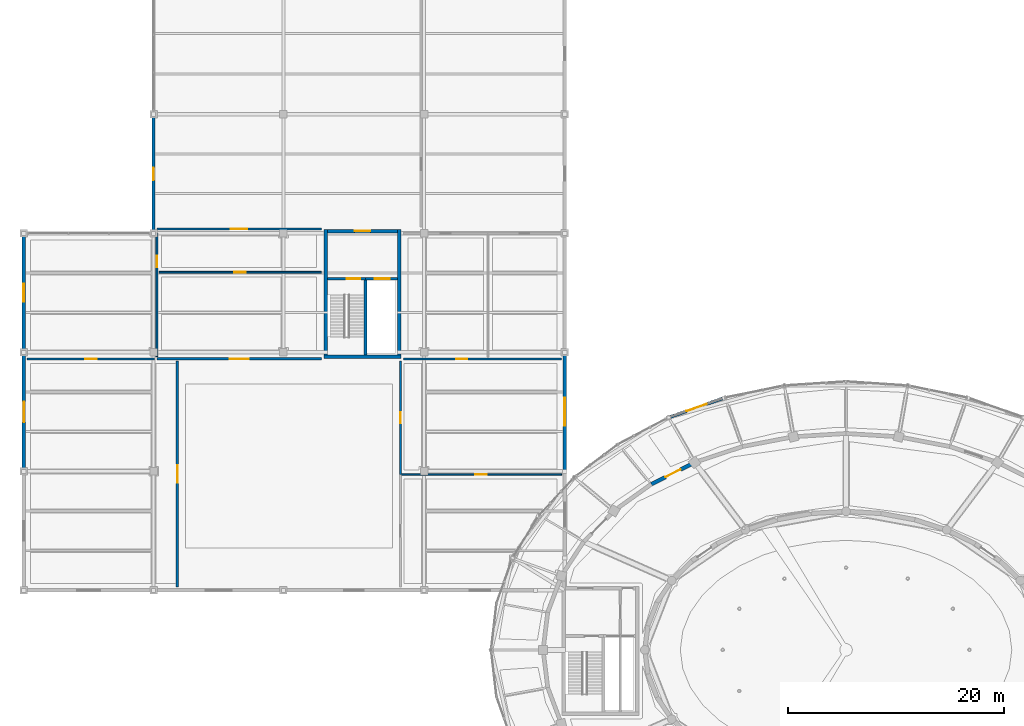
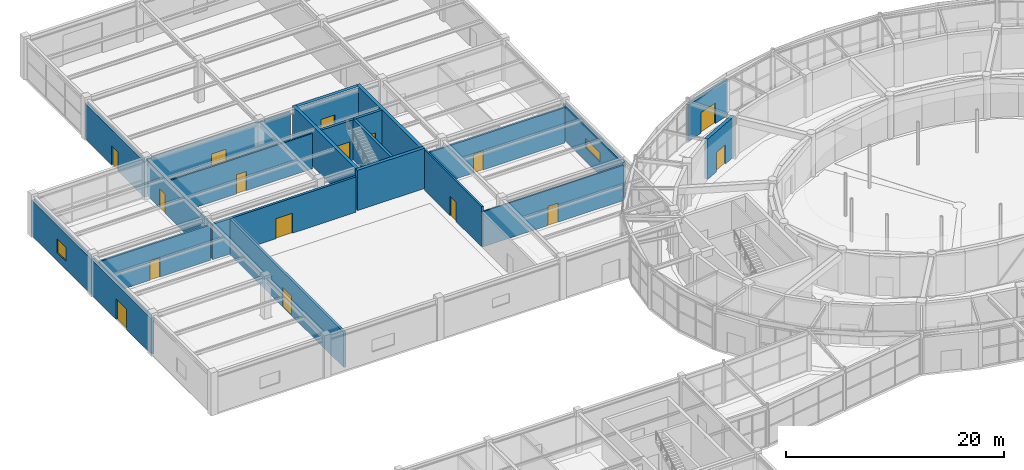
# One storey, part 90 of 108: 22 walls, 16 doors, 2 windows, 18 openings.
"""IFC4 building model written with IfcOpenShell, lengths in metres."""

from ifc_helpers import new_model, si_unit, direction, frame, frame_2d, origin, place, context, subcontext, project, spatial, rectangle, extrude, material, layer, layer_set, type_object, element, fill, save


model = new_model("IFC4")

# Units and contexts
model_context = context("Model", 3, precision=1e-05, world=origin(), true_north=direction((0.0, 1.0)))
body_context = subcontext(model_context, "Body", "Model", "MODEL_VIEW")
ifc_project = project(units=[si_unit("LENGTHUNIT", "METRE"), si_unit("AREAUNIT", "SQUARE_METRE"), si_unit("VOLUMEUNIT", "CUBIC_METRE"), si_unit("PLANEANGLEUNIT", "RADIAN"), si_unit("MASSUNIT", "GRAM", prefix="KILO")], contexts=[model_context])

# Site, building, storey
site_placement = place(None, origin())
site = spatial("IfcSite", under=ifc_project, at=site_placement, CompositionType="ELEMENT")
building_placement = place(site_placement, origin())
building = spatial("IfcBuilding", under=site, at=building_placement, Name="Tarnveldt Headland Concert Hall", CompositionType="ELEMENT")
storey_placement = place(building_placement, origin())
storey = spatial("IfcBuildingStorey", under=building, at=storey_placement, Name="L00", CompositionType="ELEMENT", Elevation=0.0)

# Wall, opening, door
ifc_material_1 = material(Name="Concrete C40/50", Category="concrete")
ifc_layer_1 = layer(ifc_material_1, 0.35009765625, Name="Concrete C40/50", Category="concrete")
ifc_layer_set_1 = layer_set([ifc_layer_1], Name="Concrete C40/50")
wall_type_1 = type_object("IfcWallType", Name="WL-CR350", PredefinedType="SHEAR", material=ifc_layer_set_1)
wall_1_placement = place(storey_placement, frame((69.5, 71.820556640625, 0.0), z_axis=(0.0, 0.0, 1.0), x_axis=(-0.894361644392, -0.447344664705, 0.0)))
wall_1 = element("IfcWall", 1, at=wall_1_placement, inside=storey, type_object=wall_type_1, Name="Symphony drum shear wall L00-13", PredefinedType="SHEAR", context=body_context, shape_type="SweptSolid", body=[
    extrude(rectangle(XDim=4.47021484375, YDim=0.35009765625, at=frame_2d((2.235107421875, 0.0))), origin(), (0.0, 0.0, 1.0), 4.52001953125),
])
opening_1_placement = place(wall_1_placement, frame((1.460205078125, 0.0, 0.0)))
opening_1 = element("IfcOpeningElement", 2, at=opening_1_placement, cuts=wall_1, Name="Opening AD-O007", PredefinedType="OPENING", context=body_context, shape_type="SweptSolid", body=[
    extrude(rectangle(XDim=1.550048828125, YDim=2.179931640625, at=frame_2d((0.77490234375, 1.08984375))), frame((0.0, 0.18505859375, 0.0), z_axis=(0.0, -1.0, 0.0), x_axis=(1.0, 0.0, 0.0)), (0.0, 0.0, 1.0), 0.3701171875),
])
ifc_material_2 = material(Name="Treated East African mvule hardwood", Category="wood")
door_type_1 = type_object("IfcDoorType", Name="DR-AC155", OperationType="NOTDEFINED", PredefinedType="DOOR", material=ifc_material_2)
door_1_placement = place(opening_1_placement, origin())
door_1 = element("IfcDoor", 3, at=door_1_placement, inside=storey, type_object=door_type_1, Name="Drum concourse acoustic door L00-13", OperationType="SINGLE_SWING_LEFT", OverallHeight=2.179931640625, OverallWidth=1.550048828125, PredefinedType="DOOR", context=body_context, shape_type="SweptSolid", body=[
    extrude(rectangle(XDim=1.550048828125, YDim=2.179931640625, at=frame_2d((0.77490234375, 1.08984375))), frame((0.0, 0.02490234375, 0.0), z_axis=(0.0, -1.0, 0.0), x_axis=(1.0, 0.0, 0.0)), (0.0, 0.0, 1.0), 0.050048828125),
])
fill(opening_1, door_1)

# Wall
wall_2_placement = place(storey_placement, frame((35.22509765625, 81.60009765625, 0.0), z_axis=(0.0, 0.0, 1.0), x_axis=(1.0, 0.0, 0.0)))
element("IfcWall", 4, at=wall_2_placement, inside=storey, type_object=wall_type_1, Name="Core C6 south shear wall L00", PredefinedType="SHEAR", context=body_context, shape_type="SweptSolid", body=[
    extrude(rectangle(XDim=7.14990234375, YDim=0.35009765625, at=frame_2d((3.574951171875, 0.0))), origin(), (0.0, 0.0, 1.0), 4.52001953125),
])

# Wall, opening, door
wall_3_placement = place(storey_placement, frame((35.574951171875, 93.199951171875, 0.0), z_axis=(0.0, 0.0, 1.0), x_axis=(1.0, 0.0, 0.0)))
wall_3 = element("IfcWall", 5, at=wall_3_placement, inside=storey, type_object=wall_type_1, Name="Core C6 north shear wall L00", PredefinedType="SHEAR", context=body_context, shape_type="SweptSolid", body=[
    extrude(rectangle(XDim=6.449951171875, YDim=0.35009765625, at=frame_2d((3.22509765625, 0.0))), origin(), (0.0, 0.0, 1.0), 4.52001953125),
])
opening_2_placement = place(wall_3_placement, frame((2.5, 0.0, 0.0)))
opening_2 = element("IfcOpeningElement", 6, at=opening_2_placement, cuts=wall_3, Name="Opening LBD-C6-L00", PredefinedType="OPENING", context=body_context, shape_type="SweptSolid", body=[
    extrude(rectangle(XDim=1.449951171875, YDim=2.199951171875, at=frame_2d((0.72509765625, 1.10009765625))), frame((0.0, 0.18505859375, 0.0), z_axis=(0.0, -1.0, 0.0), x_axis=(1.0, 0.0, 0.0)), (0.0, 0.0, 1.0), 0.3701171875),
])
ifc_material_3 = material(Name="Galvanised painted steel sheet", Category="steel")
door_type_2 = type_object("IfcDoorType", Name="DR-LB145", OperationType="NOTDEFINED", PredefinedType="DOOR", material=ifc_material_3)
door_2_placement = place(opening_2_placement, origin())
door_2 = element("IfcDoor", 7, at=door_2_placement, inside=storey, type_object=door_type_2, Name="Core C6 lobby entrance door L00", OperationType="SINGLE_SWING_LEFT", OverallHeight=2.199951171875, OverallWidth=1.449951171875, PredefinedType="DOOR", context=body_context, shape_type="SweptSolid", body=[
    extrude(rectangle(XDim=1.449951171875, YDim=2.199951171875, at=frame_2d((0.72509765625, 1.10009765625))), frame((0.0, 0.02490234375, 0.0), z_axis=(0.0, -1.0, 0.0), x_axis=(1.0, 0.0, 0.0)), (0.0, 0.0, 1.0), 0.050048828125),
])
fill(opening_2, door_2)

# Walls
for number, where, z_axis, x_axis, name in (
    (8, (35.39990234375, 81.77490234375, 0.0), (0.0, 0.0, 1.0), (0.0, 1.0, 0.0), "Core C6 west shear wall L00"),
    (9, (42.199951171875, 81.77490234375, 0.0), (0.0, 0.0, 1.0), (0.0, 1.0, 0.0), "Core C6 east shear wall L00"),
):
    element("IfcWall", number, at=place(storey_placement, frame(where, z_axis=z_axis, x_axis=x_axis)), inside=storey, type_object=wall_type_1, Name=name, PredefinedType="SHEAR", context=body_context, shape_type="SweptSolid", body=[
        extrude(rectangle(XDim=11.60009765625, YDim=0.35009765625, at=frame_2d((5.800048828125, 0.0))), origin(), (0.0, 0.0, 1.0), 4.52001953125),
    ])

# Wall, opening, door
ifc_material_4 = material(Name="Coral-toned precast concrete C40/50", Category="concrete")
ifc_layer_2 = layer(ifc_material_4, 0.300048828125, Name="Coral-toned precast concrete C40/50", Category="concrete")
ifc_layer_set_2 = layer_set([ifc_layer_2], Name="Coral-toned precast concrete C40/50")
wall_type_2 = type_object("IfcWallType", Name="WL-EX300", PredefinedType="SOLIDWALL", material=ifc_layer_set_2)
wall_4_placement = place(storey_placement, frame((67.118896484375, 75.984130859375, 0.0), z_axis=(0.0, 0.0, 1.0), x_axis=(0.943104319689, 0.332496980713, 0.0)))
wall_4 = element("IfcWall", 10, at=wall_4_placement, inside=storey, type_object=wall_type_2, Name="External precast wall L00-39", PredefinedType="SOLIDWALL", context=body_context, shape_type="SweptSolid", body=[
    extrude(rectangle(XDim=5.4541015625, YDim=0.300048828125, at=frame_2d((2.72705078125, 0.0))), origin(), (0.0, 0.0, 1.0), 4.05810546875),
])
opening_3_placement = place(wall_4_placement, frame((1.72705078125, 0.0, 0.0)))
opening_3 = element("IfcOpeningElement", 11, at=opening_3_placement, cuts=wall_4, Name="Opening EX-03", PredefinedType="OPENING", context=body_context, shape_type="SweptSolid", body=[
    extrude(rectangle(XDim=2.0, YDim=2.300048828125, at=frame_2d((1.0, 1.14990234375))), frame((0.0, 0.159912109375, 0.0), z_axis=(0.0, -1.0, 0.0), x_axis=(1.0, 0.0, 0.0)), (0.0, 0.0, 1.0), 0.320068359375),
])
ifc_material_5 = material(Name="Marine-anodised aluminium EN AW-6063-T6", Category="aluminium")
door_type_3 = type_object("IfcDoorType", Name="DR-EX200", OperationType="NOTDEFINED", PredefinedType="DOOR", material=ifc_material_5)
door_3_placement = place(opening_3_placement, origin())
door_3 = element("IfcDoor", 12, at=door_3_placement, inside=storey, type_object=door_type_3, Name="Foyer final exit door EX-03", OperationType="DOUBLE_DOOR_SINGLE_SWING", OverallHeight=2.300048828125, OverallWidth=2.0, PredefinedType="DOOR", context=body_context, shape_type="SweptSolid", body=[
    extrude(rectangle(XDim=2.0, YDim=2.300048828125, at=frame_2d((1.0, 1.14990234375))), frame((0.0, 0.02490234375, 0.0), z_axis=(0.0, -1.0, 0.0), x_axis=(1.0, 0.0, 0.0)), (0.0, 0.0, 1.0), 0.050048828125),
])
fill(opening_3, door_3)

# Wall, opening, window
wall_5_placement = place(storey_placement, frame((57.5, 81.97998046875, 0.0), z_axis=(0.0, 0.0, 1.0), x_axis=(0.0, -1.0, 0.0)))
wall_5 = element("IfcWall", 13, at=wall_5_placement, inside=storey, type_object=wall_type_2, Name="External precast wall L00-269", PredefinedType="SOLIDWALL", context=body_context, shape_type="SweptSolid", body=[
    extrude(rectangle(XDim=10.9599609375, YDim=0.300048828125, at=frame_2d((5.47998046875, 0.0))), origin(), (0.0, 0.0, 1.0), 3.9580078125),
])
opening_4_placement = place(wall_5_placement, frame((4.179931640625, 0.0, 1.5)))
opening_4 = element("IfcOpeningElement", 14, at=opening_4_placement, cuts=wall_5, Name="Opening W-R110", PredefinedType="OPENING", context=body_context, shape_type="SweptSolid", body=[
    extrude(rectangle(XDim=2.60009765625, YDim=1.050048828125, at=frame_2d((1.300048828125, 0.52490234375))), frame((0.0, 0.159912109375, 0.0), z_axis=(0.0, -1.0, 0.0), x_axis=(1.0, 0.0, 0.0)), (0.0, 0.0, 1.0), 0.320068359375),
])
ifc_material_6 = material(Name="Acoustic laminated low-iron double glazing", Category="glass")
window_type_1 = type_object("IfcWindowType", Name="WN-26", PartitioningType="SINGLE_PANEL", PredefinedType="WINDOW", material=ifc_material_6)
window_1_placement = place(opening_4_placement, origin())
window_1 = element("IfcWindow", 15, at=window_1_placement, inside=storey, type_object=window_type_1, Name="Rehearsal wing acoustic window L00-E2", OverallHeight=1.050048828125, OverallWidth=2.60009765625, PartitioningType="SINGLE_PANEL", PredefinedType="WINDOW", context=body_context, shape_type="SweptSolid", body=[
    extrude(rectangle(XDim=2.60009765625, YDim=1.050048828125, at=frame_2d((1.300048828125, 0.52490234375))), frame((0.0, 0.030029296875, 0.0), z_axis=(0.0, -1.0, 0.0), x_axis=(1.0, 0.0, 0.0)), (0.0, 0.0, 1.0), 0.06005859375),
])
fill(opening_4, window_1)

# Wall, opening, door
wall_6_placement = place(storey_placement, frame((19.5, 93.02001953125, 0.0), z_axis=(0.0, 0.0, 1.0), x_axis=(0.0, 1.0, 0.0)))
wall_6 = element("IfcWall", 16, at=wall_6_placement, inside=storey, type_object=wall_type_2, Name="External precast wall L00-276", PredefinedType="SOLIDWALL", context=body_context, shape_type="SweptSolid", body=[
    extrude(rectangle(XDim=10.9599609375, YDim=0.300048828125, at=frame_2d((5.47998046875, 0.0))), origin(), (0.0, 0.0, 1.0), 3.9580078125),
])
opening_5_placement = place(wall_6_placement, frame((4.905029296875, 0.0, 0.0)))
opening_5 = element("IfcOpeningElement", 17, at=opening_5_placement, cuts=wall_6, Name="Opening SD-02", PredefinedType="OPENING", context=body_context, shape_type="SweptSolid", body=[
    extrude(rectangle(XDim=1.14990234375, YDim=2.1201171875, at=frame_2d((0.574951171875, 1.06005859375))), frame((0.0, 0.159912109375, 0.0), z_axis=(0.0, -1.0, 0.0), x_axis=(1.0, 0.0, 0.0)), (0.0, 0.0, 1.0), 0.320068359375),
])
door_type_4 = type_object("IfcDoorType", Name="DR-SV115", OperationType="NOTDEFINED", PredefinedType="DOOR", material=ifc_material_3)
door_4_placement = place(opening_5_placement, origin())
door_4 = element("IfcDoor", 18, at=door_4_placement, inside=storey, type_object=door_type_4, Name="Musicians court acoustic exit door", OperationType="SINGLE_SWING_RIGHT", OverallHeight=2.1201171875, OverallWidth=1.14990234375, PredefinedType="DOOR", context=body_context, shape_type="SweptSolid", body=[
    extrude(rectangle(XDim=1.14990234375, YDim=2.1201171875, at=frame_2d((0.574951171875, 1.06005859375))), frame((0.0, 0.02490234375, 0.0), z_axis=(0.0, -1.0, 0.0), x_axis=(1.0, 0.0, 0.0)), (0.0, 0.0, 1.0), 0.050048828125),
])
fill(opening_5, door_4)

# Wall, opening, window
wall_7_placement = place(storey_placement, frame((7.5, 82.02001953125, 0.0), z_axis=(0.0, 0.0, 1.0), x_axis=(0.0, 1.0, 0.0)))
wall_7 = element("IfcWall", 19, at=wall_7_placement, inside=storey, type_object=wall_type_2, Name="External precast wall L00-277", PredefinedType="SOLIDWALL", context=body_context, shape_type="SweptSolid", body=[
    extrude(rectangle(XDim=10.9599609375, YDim=0.300048828125, at=frame_2d((5.47998046875, 0.0))), origin(), (0.0, 0.0, 1.0), 3.9580078125),
])
opening_6_placement = place(wall_7_placement, frame((4.655029296875, 0.0, 0.89990234375)))
opening_6 = element("IfcOpeningElement", 20, at=opening_6_placement, cuts=wall_7, Name="Opening W-R114", PredefinedType="OPENING", context=body_context, shape_type="SweptSolid", body=[
    extrude(rectangle(XDim=1.64990234375, YDim=1.550048828125, at=frame_2d((0.824951171875, 0.77490234375))), frame((0.0, 0.159912109375, 0.0), z_axis=(0.0, -1.0, 0.0), x_axis=(1.0, 0.0, 0.0)), (0.0, 0.0, 1.0), 0.320068359375),
])
window_type_2 = type_object("IfcWindowType", Name="WN-04", PartitioningType="SINGLE_PANEL", PredefinedType="WINDOW", material=ifc_material_6)
window_2_placement = place(opening_6_placement, origin())
window_2 = element("IfcWindow", 21, at=window_2_placement, inside=storey, type_object=window_type_2, Name="Rehearsal wing acoustic window L00-W1", OverallHeight=1.550048828125, OverallWidth=1.64990234375, PartitioningType="SINGLE_PANEL", PredefinedType="WINDOW", context=body_context, shape_type="SweptSolid", body=[
    extrude(rectangle(XDim=1.64990234375, YDim=1.550048828125, at=frame_2d((0.824951171875, 0.77490234375))), frame((0.0, 0.030029296875, 0.0), z_axis=(0.0, -1.0, 0.0), x_axis=(1.0, 0.0, 0.0)), (0.0, 0.0, 1.0), 0.06005859375),
])
fill(opening_6, window_2)

# Wall, opening, door
wall_8_placement = place(storey_placement, frame((7.5, 71.02001953125, 0.0), z_axis=(0.0, 0.0, 1.0), x_axis=(0.0, 1.0, 0.0)))
wall_8 = element("IfcWall", 22, at=wall_8_placement, inside=storey, type_object=wall_type_2, Name="External precast wall L00-278", PredefinedType="SOLIDWALL", context=body_context, shape_type="SweptSolid", body=[
    extrude(rectangle(XDim=10.9599609375, YDim=0.300048828125, at=frame_2d((5.47998046875, 0.0))), origin(), (0.0, 0.0, 1.0), 3.9580078125),
])
opening_7_placement = place(wall_8_placement, frame((4.530029296875, 0.0, 0.0)))
opening_7 = element("IfcOpeningElement", 23, at=opening_7_placement, cuts=wall_8, Name="Opening EX-16", PredefinedType="OPENING", context=body_context, shape_type="SweptSolid", body=[
    extrude(rectangle(XDim=1.89990234375, YDim=2.300048828125, at=frame_2d((0.949951171875, 1.14990234375))), frame((0.0, 0.159912109375, 0.0), z_axis=(0.0, -1.0, 0.0), x_axis=(1.0, 0.0, 0.0)), (0.0, 0.0, 1.0), 0.320068359375),
])
door_type_5 = type_object("IfcDoorType", Name="DR-EX190", OperationType="NOTDEFINED", PredefinedType="DOOR", material=ifc_material_5)
door_5_placement = place(opening_7_placement, origin())
door_5 = element("IfcDoor", 24, at=door_5_placement, inside=storey, type_object=door_type_5, Name="Rehearsal wing exit door EX-16", OperationType="DOUBLE_DOOR_SINGLE_SWING", OverallHeight=2.300048828125, OverallWidth=1.89990234375, PredefinedType="DOOR", context=body_context, shape_type="SweptSolid", body=[
    extrude(rectangle(XDim=1.89990234375, YDim=2.300048828125, at=frame_2d((0.949951171875, 1.14990234375))), frame((0.0, 0.02490234375, 0.0), z_axis=(0.0, -1.0, 0.0), x_axis=(1.0, 0.0, 0.0)), (0.0, 0.0, 1.0), 0.050048828125),
])
fill(opening_7, door_5)

ifc_material_7 = material(Name="Acoustic multi-layer gypsum and mineral-wool partition", Category="gypsum")
ifc_layer_3 = layer(ifc_material_7, 0.14990234375, Name="Acoustic multi-layer gypsum and mineral-wool partition", Category="gypsum")
ifc_layer_set_3 = layer_set([ifc_layer_3], Name="Acoustic multi-layer gypsum and mineral-wool partition")
wall_type_3 = type_object("IfcWallType", Name="WL-PT150", PredefinedType="PARTITIONING", material=ifc_layer_set_3)
wall_9_placement = place(storey_placement, frame((42.300048828125, 70.699951171875, 0.0), z_axis=(0.0, 0.0, 1.0), x_axis=(1.0, 0.0, 0.0)))
wall_9 = element("IfcWall", 25, at=wall_9_placement, inside=storey, type_object=wall_type_3, Name="Interior acoustic partition L00-66", PredefinedType="PARTITIONING", context=body_context, shape_type="SweptSolid", body=[
    extrude(rectangle(XDim=14.89990234375, YDim=0.14990234375, at=frame_2d((7.449951171875, 0.0))), origin(), (0.0, 0.0, 1.0), 3.9599609375),
])
opening_8_placement = place(wall_9_placement, frame((6.925048828125, 0.0, 0.0)))
opening_8 = element("IfcOpeningElement", 26, at=opening_8_placement, cuts=wall_9, Name="Opening D-L00-093", PredefinedType="OPENING", context=body_context, shape_type="SweptSolid", body=[
    extrude(rectangle(XDim=1.050048828125, YDim=2.14990234375, at=frame_2d((0.52490234375, 1.074951171875))), frame((0.0, 0.0849609375, 0.0), z_axis=(0.0, -1.0, 0.0), x_axis=(1.0, 0.0, 0.0)), (0.0, 0.0, 1.0), 0.169921875),
])
door_type_6 = type_object("IfcDoorType", Name="DR-RM105", OperationType="NOTDEFINED", PredefinedType="DOOR", material=ifc_material_2)
door_6_placement = place(opening_8_placement, origin())
door_6 = element("IfcDoor", 27, at=door_6_placement, inside=storey, type_object=door_type_6, Name="Interior room door L00-93", OperationType="SINGLE_SWING_LEFT", OverallHeight=2.14990234375, OverallWidth=1.050048828125, PredefinedType="DOOR", context=body_context, shape_type="SweptSolid", body=[
    extrude(rectangle(XDim=1.050048828125, YDim=2.14990234375, at=frame_2d((0.52490234375, 1.074951171875))), frame((0.0, 0.02490234375, 0.0), z_axis=(0.0, -1.0, 0.0), x_axis=(1.0, 0.0, 0.0)), (0.0, 0.0, 1.0), 0.050048828125),
])
fill(opening_8, door_6)

ifc_layer_4 = layer(ifc_material_7, 0.1650390625, Name="Acoustic multi-layer gypsum and mineral-wool partition", Category="gypsum")
ifc_layer_set_4 = layer_set([ifc_layer_4], Name="Acoustic multi-layer gypsum and mineral-wool partition")
wall_type_4 = type_object("IfcWallType", Name="WL-PT165", PredefinedType="PARTITIONING", material=ifc_layer_set_4)
wall_10_placement = place(storey_placement, frame((19.800048828125, 81.60009765625, 0.0), z_axis=(0.0, 0.0, 1.0), x_axis=(0.0, 1.0, 0.0)))
wall_10 = element("IfcWall", 28, at=wall_10_placement, inside=storey, type_object=wall_type_4, Name="Interior acoustic partition L00-61", PredefinedType="PARTITIONING", context=body_context, shape_type="SweptSolid", body=[
    extrude(rectangle(XDim=11.39990234375, YDim=0.1650390625, at=frame_2d((5.699951171875, 0.0))), origin(), (0.0, 0.0, 1.0), 3.9599609375),
])
opening_9_placement = place(wall_10_placement, frame((8.256591796875, 0.0, 0.0)))
opening_9 = element("IfcOpeningElement", 29, at=opening_9_placement, cuts=wall_10, Name="Opening D-L00-088", PredefinedType="OPENING", context=body_context, shape_type="SweptSolid", body=[
    extrude(rectangle(XDim=1.050048828125, YDim=2.14990234375, at=frame_2d((0.52490234375, 1.074951171875))), frame((0.0, 0.092529296875, 0.0), z_axis=(0.0, -1.0, 0.0), x_axis=(1.0, 0.0, 0.0)), (0.0, 0.0, 1.0), 0.18505859375),
])
door_7_placement = place(opening_9_placement, origin())
door_7 = element("IfcDoor", 30, at=door_7_placement, inside=storey, type_object=door_type_6, Name="Interior room door L00-88", OperationType="SINGLE_SWING_RIGHT", OverallHeight=2.14990234375, OverallWidth=1.050048828125, PredefinedType="DOOR", context=body_context, shape_type="SweptSolid", body=[
    extrude(rectangle(XDim=1.050048828125, YDim=2.14990234375, at=frame_2d((0.52490234375, 1.074951171875))), frame((0.0, 0.02490234375, 0.0), z_axis=(0.0, -1.0, 0.0), x_axis=(1.0, 0.0, 0.0)), (0.0, 0.0, 1.0), 0.050048828125),
])
fill(opening_9, door_7)

wall_11_placement = place(storey_placement, frame((20.0, 89.39990234375, 0.0), z_axis=(0.0, 0.0, 1.0), x_axis=(1.0, 0.0, 0.0)))
wall_11 = element("IfcWall", 31, at=wall_11_placement, inside=storey, type_object=wall_type_4, Name="Interior acoustic partition L00-62", PredefinedType="PARTITIONING", context=body_context, shape_type="SweptSolid", body=[
    extrude(rectangle(XDim=15.0, YDim=0.1650390625, at=frame_2d((7.5, 0.0))), origin(), (0.0, 0.0, 1.0), 3.9599609375),
])
opening_10_placement = place(wall_11_placement, frame((6.97509765625, 0.0, 0.0)))
opening_10 = element("IfcOpeningElement", 32, at=opening_10_placement, cuts=wall_11, Name="Opening D-L00-089", PredefinedType="OPENING", context=body_context, shape_type="SweptSolid", body=[
    extrude(rectangle(XDim=1.050048828125, YDim=2.14990234375, at=frame_2d((0.52490234375, 1.074951171875))), frame((0.0, 0.092529296875, 0.0), z_axis=(0.0, -1.0, 0.0), x_axis=(1.0, 0.0, 0.0)), (0.0, 0.0, 1.0), 0.18505859375),
])
door_8_placement = place(opening_10_placement, origin())
door_8 = element("IfcDoor", 33, at=door_8_placement, inside=storey, type_object=door_type_6, Name="Interior room door L00-89", OperationType="SINGLE_SWING_LEFT", OverallHeight=2.14990234375, OverallWidth=1.050048828125, PredefinedType="DOOR", context=body_context, shape_type="SweptSolid", body=[
    extrude(rectangle(XDim=1.050048828125, YDim=2.14990234375, at=frame_2d((0.52490234375, 1.074951171875))), frame((0.0, 0.02490234375, 0.0), z_axis=(0.0, -1.0, 0.0), x_axis=(1.0, 0.0, 0.0)), (0.0, 0.0, 1.0), 0.050048828125),
])
fill(opening_10, door_8)

ifc_layer_5 = layer(ifc_material_7, 0.18505859375, Name="Acoustic multi-layer gypsum and mineral-wool partition", Category="gypsum")
ifc_layer_set_5 = layer_set([ifc_layer_5], Name="Acoustic multi-layer gypsum and mineral-wool partition")
wall_type_5 = type_object("IfcWallType", Name="WL-PT185", PredefinedType="PARTITIONING", material=ifc_layer_set_5)
wall_12_placement = place(storey_placement, frame((7.800048828125, 81.39990234375, 0.0), z_axis=(0.0, 0.0, 1.0), x_axis=(1.0, 0.0, 0.0)))
wall_12 = element("IfcWall", 34, at=wall_12_placement, inside=storey, type_object=wall_type_5, Name="Interior acoustic partition L00-60", PredefinedType="PARTITIONING", context=body_context, shape_type="SweptSolid", body=[
    extrude(rectangle(XDim=11.800048828125, YDim=0.18505859375, at=frame_2d((5.89990234375, 0.0))), origin(), (0.0, 0.0, 1.0), 3.9599609375),
])
opening_11_placement = place(wall_12_placement, frame((5.375, 0.0, 0.0)))
opening_11 = element("IfcOpeningElement", 35, at=opening_11_placement, cuts=wall_12, Name="Opening D-L00-087", PredefinedType="OPENING", context=body_context, shape_type="SweptSolid", body=[
    extrude(rectangle(XDim=1.050048828125, YDim=2.14990234375, at=frame_2d((0.52490234375, 1.074951171875))), frame((0.0, 0.1025390625, 0.0), z_axis=(0.0, -1.0, 0.0), x_axis=(1.0, 0.0, 0.0)), (0.0, 0.0, 1.0), 0.205078125),
])
door_9_placement = place(opening_11_placement, origin())
door_9 = element("IfcDoor", 36, at=door_9_placement, inside=storey, type_object=door_type_6, Name="Interior room door L00-87", OperationType="SINGLE_SWING_LEFT", OverallHeight=2.14990234375, OverallWidth=1.050048828125, PredefinedType="DOOR", context=body_context, shape_type="SweptSolid", body=[
    extrude(rectangle(XDim=1.050048828125, YDim=2.14990234375, at=frame_2d((0.52490234375, 1.074951171875))), frame((0.0, 0.02490234375, 0.0), z_axis=(0.0, -1.0, 0.0), x_axis=(1.0, 0.0, 0.0)), (0.0, 0.0, 1.0), 0.050048828125),
])
fill(opening_11, door_9)

wall_13_placement = place(storey_placement, frame((42.300048828125, 70.699951171875, 0.0), z_axis=(0.0, 0.0, 1.0), x_axis=(0.0, 1.0, 0.0)))
wall_13 = element("IfcWall", 37, at=wall_13_placement, inside=storey, type_object=wall_type_5, Name="Interior acoustic partition L00-65", PredefinedType="PARTITIONING", context=body_context, shape_type="SweptSolid", body=[
    extrude(rectangle(XDim=10.5, YDim=0.18505859375, at=frame_2d((5.25, 0.0))), origin(), (0.0, 0.0, 1.0), 4.513916015625),
])
opening_12_placement = place(wall_13_placement, frame((4.72509765625, 0.0, 0.0)))
opening_12 = element("IfcOpeningElement", 38, at=opening_12_placement, cuts=wall_13, Name="Opening D-L00-092", PredefinedType="OPENING", context=body_context, shape_type="SweptSolid", body=[
    extrude(rectangle(XDim=1.050048828125, YDim=2.14990234375, at=frame_2d((0.52490234375, 1.074951171875))), frame((0.0, 0.1025390625, 0.0), z_axis=(0.0, -1.0, 0.0), x_axis=(1.0, 0.0, 0.0)), (0.0, 0.0, 1.0), 0.205078125),
])
door_10_placement = place(opening_12_placement, origin())
door_10 = element("IfcDoor", 39, at=door_10_placement, inside=storey, type_object=door_type_6, Name="Interior room door L00-92", OperationType="SINGLE_SWING_RIGHT", OverallHeight=2.14990234375, OverallWidth=1.050048828125, PredefinedType="DOOR", context=body_context, shape_type="SweptSolid", body=[
    extrude(rectangle(XDim=1.050048828125, YDim=2.14990234375, at=frame_2d((0.52490234375, 1.074951171875))), frame((0.0, 0.02490234375, 0.0), z_axis=(0.0, -1.0, 0.0), x_axis=(1.0, 0.0, 0.0)), (0.0, 0.0, 1.0), 0.050048828125),
])
fill(opening_12, door_10)

wall_14_placement = place(storey_placement, frame((42.60009765625, 81.39990234375, 0.0), z_axis=(0.0, 0.0, 1.0), x_axis=(1.0, 0.0, 0.0)))
wall_14 = element("IfcWall", 40, at=wall_14_placement, inside=storey, type_object=wall_type_5, Name="Interior acoustic partition L00-70", PredefinedType="PARTITIONING", context=body_context, shape_type="SweptSolid", body=[
    extrude(rectangle(XDim=14.599853515625, YDim=0.18505859375, at=frame_2d((7.2998046875, 0.0))), origin(), (0.0, 0.0, 1.0), 3.9599609375),
])
opening_13_placement = place(wall_14_placement, frame((4.8505859375, 0.0, 0.0)))
opening_13 = element("IfcOpeningElement", 41, at=opening_13_placement, cuts=wall_14, Name="Opening D-L00-096", PredefinedType="OPENING", context=body_context, shape_type="SweptSolid", body=[
    extrude(rectangle(XDim=1.050048828125, YDim=2.14990234375, at=frame_2d((0.52490234375, 1.074951171875))), frame((0.0, 0.1025390625, 0.0), z_axis=(0.0, -1.0, 0.0), x_axis=(1.0, 0.0, 0.0)), (0.0, 0.0, 1.0), 0.205078125),
])
door_11_placement = place(opening_13_placement, origin())
door_11 = element("IfcDoor", 42, at=door_11_placement, inside=storey, type_object=door_type_6, Name="Interior room door L00-96", OperationType="SINGLE_SWING_RIGHT", OverallHeight=2.14990234375, OverallWidth=1.050048828125, PredefinedType="DOOR", context=body_context, shape_type="SweptSolid", body=[
    extrude(rectangle(XDim=1.050048828125, YDim=2.14990234375, at=frame_2d((0.52490234375, 1.074951171875))), frame((0.0, 0.02490234375, 0.0), z_axis=(0.0, -1.0, 0.0), x_axis=(1.0, 0.0, 0.0)), (0.0, 0.0, 1.0), 0.050048828125),
])
fill(opening_13, door_11)

ifc_layer_6 = layer(ifc_material_7, 0.199951171875, Name="Acoustic multi-layer gypsum and mineral-wool partition", Category="gypsum")
ifc_layer_set_6 = layer_set([ifc_layer_6], Name="Acoustic multi-layer gypsum and mineral-wool partition")
wall_type_6 = type_object("IfcWallType", Name="WL-PT200", PredefinedType="PARTITIONING", material=ifc_layer_set_6)
wall_15_placement = place(storey_placement, frame((19.800048828125, 93.39990234375, 0.0), z_axis=(0.0, 0.0, 1.0), x_axis=(1.0, 0.0, 0.0)))
wall_15 = element("IfcWall", 43, at=wall_15_placement, inside=storey, type_object=wall_type_6, Name="Interior acoustic partition L00-72", PredefinedType="PARTITIONING", context=body_context, shape_type="SweptSolid", body=[
    extrude(rectangle(XDim=15.199951171875, YDim=0.199951171875, at=frame_2d((7.60009765625, 0.0))), origin(), (0.0, 0.0, 1.0), 3.9599609375),
])
opening_14_placement = place(wall_15_placement, frame((6.824951171875, 0.0, 0.0)))
opening_14 = element("IfcOpeningElement", 44, at=opening_14_placement, cuts=wall_15, Name="Opening D-L00-098", PredefinedType="OPENING", context=body_context, shape_type="SweptSolid", body=[
    extrude(rectangle(XDim=1.550048828125, YDim=2.179931640625, at=frame_2d((0.77490234375, 1.08984375))), frame((0.0, 0.10986328125, 0.0), z_axis=(0.0, -1.0, 0.0), x_axis=(1.0, 0.0, 0.0)), (0.0, 0.0, 1.0), 0.219970703125),
])
door_12_placement = place(opening_14_placement, origin())
door_12 = element("IfcDoor", 45, at=door_12_placement, inside=storey, type_object=door_type_1, Name="Interior room door L00-98", OperationType="SINGLE_SWING_RIGHT", OverallHeight=2.179931640625, OverallWidth=1.550048828125, PredefinedType="DOOR", context=body_context, shape_type="SweptSolid", body=[
    extrude(rectangle(XDim=1.550048828125, YDim=2.179931640625, at=frame_2d((0.77490234375, 1.08984375))), frame((0.0, 0.02490234375, 0.0), z_axis=(0.0, -1.0, 0.0), x_axis=(1.0, 0.0, 0.0)), (0.0, 0.0, 1.0), 0.050048828125),
])
fill(opening_14, door_12)

ifc_layer_7 = layer(ifc_material_7, 0.239990234375, Name="Acoustic multi-layer gypsum and mineral-wool partition", Category="gypsum")
ifc_layer_set_7 = layer_set([ifc_layer_7], Name="Acoustic multi-layer gypsum and mineral-wool partition")
wall_type_7 = type_object("IfcWallType", Name="WL-PT240", PredefinedType="PARTITIONING", material=ifc_layer_set_7)
wall_16_placement = place(storey_placement, frame((19.800048828125, 81.39990234375, 0.0), z_axis=(0.0, 0.0, 1.0), x_axis=(1.0, 0.0, 0.0)))
wall_16 = element("IfcWall", 46, at=wall_16_placement, inside=storey, type_object=wall_type_7, Name="Interior acoustic partition L00-59", PredefinedType="PARTITIONING", context=body_context, shape_type="SweptSolid", body=[
    extrude(rectangle(XDim=15.199951171875, YDim=0.239990234375, at=frame_2d((7.60009765625, 0.0))), origin(), (0.0, 0.0, 1.0), 3.9599609375),
])
opening_15_placement = place(wall_16_placement, frame((6.72509765625, 0.0, 0.0)))
opening_15 = element("IfcOpeningElement", 47, at=opening_15_placement, cuts=wall_16, Name="Opening D-L00-086", PredefinedType="OPENING", context=body_context, shape_type="SweptSolid", body=[
    extrude(rectangle(XDim=1.75, YDim=2.25, at=frame_2d((0.875, 1.125))), frame((0.0, 0.1298828125, 0.0), z_axis=(0.0, -1.0, 0.0), x_axis=(1.0, 0.0, 0.0)), (0.0, 0.0, 1.0), 0.260009765625),
])
door_type_7 = type_object("IfcDoorType", Name="DR-AC175", OperationType="NOTDEFINED", PredefinedType="DOOR", material=ifc_material_2)
door_13_placement = place(opening_15_placement, origin())
door_13 = element("IfcDoor", 48, at=door_13_placement, inside=storey, type_object=door_type_7, Name="Interior room door L00-86", OperationType="SINGLE_SWING_RIGHT", OverallHeight=2.25, OverallWidth=1.75, PredefinedType="DOOR", context=body_context, shape_type="SweptSolid", body=[
    extrude(rectangle(XDim=1.75, YDim=2.25, at=frame_2d((0.875, 1.125))), frame((0.0, 0.02490234375, 0.0), z_axis=(0.0, -1.0, 0.0), x_axis=(1.0, 0.0, 0.0)), (0.0, 0.0, 1.0), 0.050048828125),
])
fill(opening_15, door_13)

wall_17_placement = place(storey_placement, frame((21.699951171875, 60.300048828125, 0.0), z_axis=(0.0, 0.0, 1.0), x_axis=(0.0, 1.0, 0.0)))
wall_17 = element("IfcWall", 49, at=wall_17_placement, inside=storey, type_object=wall_type_7, Name="Interior acoustic partition L00-63", PredefinedType="PARTITIONING", context=body_context, shape_type="SweptSolid", body=[
    extrude(rectangle(XDim=20.89990234375, YDim=0.239990234375, at=frame_2d((10.449951171875, 0.0))), origin(), (0.0, 0.0, 1.0), 3.9599609375),
])
opening_16_placement = place(wall_17_placement, frame((9.625, 0.0, 0.0)))
opening_16 = element("IfcOpeningElement", 50, at=opening_16_placement, cuts=wall_17, Name="Opening D-L00-090", PredefinedType="OPENING", context=body_context, shape_type="SweptSolid", body=[
    extrude(rectangle(XDim=1.64990234375, YDim=2.199951171875, at=frame_2d((0.824951171875, 1.10009765625))), frame((0.0, 0.1298828125, 0.0), z_axis=(0.0, -1.0, 0.0), x_axis=(1.0, 0.0, 0.0)), (0.0, 0.0, 1.0), 0.260009765625),
])
door_type_8 = type_object("IfcDoorType", Name="DR-AC165", OperationType="NOTDEFINED", PredefinedType="DOOR", material=ifc_material_2)
door_14_placement = place(opening_16_placement, origin())
door_14 = element("IfcDoor", 51, at=door_14_placement, inside=storey, type_object=door_type_8, Name="Interior room door L00-90", OperationType="SINGLE_SWING_RIGHT", OverallHeight=2.199951171875, OverallWidth=1.64990234375, PredefinedType="DOOR", context=body_context, shape_type="SweptSolid", body=[
    extrude(rectangle(XDim=1.64990234375, YDim=2.199951171875, at=frame_2d((0.824951171875, 1.10009765625))), frame((0.0, 0.02490234375, 0.0), z_axis=(0.0, -1.0, 0.0), x_axis=(1.0, 0.0, 0.0)), (0.0, 0.0, 1.0), 0.050048828125),
])
fill(opening_16, door_14)

# Wall
ifc_layer_8 = layer(ifc_material_1, 0.27490234375, Name="Concrete C40/50", Category="concrete")
ifc_layer_set_8 = layer_set([ifc_layer_8], Name="Concrete C40/50")
wall_type_8 = type_object("IfcWallType", Name="WL-SH275", PredefinedType="SHEAR", material=ifc_layer_set_8)
wall_18_placement = place(storey_placement, frame((39.10009765625, 81.77490234375, 0.0), z_axis=(0.0, 0.0, 1.0), x_axis=(0.0, 1.0, 0.0)))
element("IfcWall", 52, at=wall_18_placement, inside=storey, type_object=wall_type_8, Name="Core C6 shaft divider wall L00", PredefinedType="SHEAR", context=body_context, shape_type="SweptSolid", body=[
    extrude(rectangle(XDim=6.8876953125, YDim=0.27490234375, at=frame_2d((3.44384765625, 0.0))), origin(), (0.0, 0.0, 1.0), 4.52001953125),
])

# Wall, opening, door
wall_19_placement = place(storey_placement, frame((35.574951171875, 88.800048828125, 0.0), z_axis=(0.0, 0.0, 1.0), x_axis=(1.0, 0.0, 0.0)))
wall_19 = element("IfcWall", 53, at=wall_19_placement, inside=storey, type_object=wall_type_8, Name="Core C6 stair enclosure wall L00", PredefinedType="SHEAR", context=body_context, shape_type="SweptSolid", body=[
    extrude(rectangle(XDim=3.525146484375, YDim=0.27490234375, at=frame_2d((1.7626953125, 0.0))), origin(), (0.0, 0.0, 1.0), 4.52001953125),
])
opening_17_placement = place(wall_19_placement, frame((1.784912109375, 0.0, 0.0)))
opening_17 = element("IfcOpeningElement", 54, at=opening_17_placement, cuts=wall_19, Name="Opening SD-C6-L00", PredefinedType="OPENING", context=body_context, shape_type="SweptSolid", body=[
    extrude(rectangle(XDim=1.25, YDim=2.14990234375, at=frame_2d((0.625, 1.074951171875))), frame((0.0, 0.1474609375, 0.0), z_axis=(0.0, -1.0, 0.0), x_axis=(1.0, 0.0, 0.0)), (0.0, 0.0, 1.0), 0.294921875),
])
door_type_9 = type_object("IfcDoorType", Name="DR-ST125", OperationType="NOTDEFINED", PredefinedType="DOOR", material=ifc_material_3)
door_15_placement = place(opening_17_placement, origin())
door_15 = element("IfcDoor", 55, at=door_15_placement, inside=storey, type_object=door_type_9, Name="Core C6 stair fire door L00", OperationType="SINGLE_SWING_RIGHT", OverallHeight=2.14990234375, OverallWidth=1.25, PredefinedType="DOOR", context=body_context, shape_type="SweptSolid", body=[
    extrude(rectangle(XDim=1.25, YDim=2.14990234375, at=frame_2d((0.625, 1.074951171875))), frame((0.0, 0.02490234375, 0.0), z_axis=(0.0, -1.0, 0.0), x_axis=(1.0, 0.0, 0.0)), (0.0, 0.0, 1.0), 0.050048828125),
])
fill(opening_17, door_15)

wall_20_placement = place(storey_placement, frame((39.10009765625, 88.800048828125, 0.0), z_axis=(0.0, 0.0, 1.0), x_axis=(1.0, 0.0, 0.0)))
wall_20 = element("IfcWall", 56, at=wall_20_placement, inside=storey, type_object=wall_type_8, Name="Core C6 lift shaft front wall L00", PredefinedType="SHEAR", context=body_context, shape_type="SweptSolid", body=[
    extrude(rectangle(XDim=2.9248046875, YDim=0.27490234375, at=frame_2d((1.46240234375, 0.0))), origin(), (0.0, 0.0, 1.0), 4.52001953125),
])
opening_18_placement = place(wall_20_placement, frame((0.83251953125, 0.0, 0.0)))
opening_18 = element("IfcOpeningElement", 57, at=opening_18_placement, cuts=wall_20, Name="Opening LD-LG-01-L00", PredefinedType="OPENING", context=body_context, shape_type="SweptSolid", body=[
    extrude(rectangle(XDim=1.39990234375, YDim=2.199951171875, at=frame_2d((0.699951171875, 1.10009765625))), frame((0.0, 0.1474609375, 0.0), z_axis=(0.0, -1.0, 0.0), x_axis=(1.0, 0.0, 0.0)), (0.0, 0.0, 1.0), 0.294921875),
])
door_type_10 = type_object("IfcDoorType", Name="LD-140", OperationType="NOTDEFINED", PredefinedType="DOOR", material=ifc_material_3)
door_16_placement = place(opening_18_placement, origin())
door_16 = element("IfcDoor", 58, at=door_16_placement, inside=storey, type_object=door_type_10, Name="Lift LG-01 sliding landing door L00", OperationType="DOUBLE_DOOR_SLIDING", OverallHeight=2.199951171875, OverallWidth=1.39990234375, PredefinedType="DOOR", context=body_context, shape_type="SweptSolid", body=[
    extrude(rectangle(XDim=1.39990234375, YDim=2.199951171875, at=frame_2d((0.699951171875, 1.10009765625))), frame((0.0, 0.02490234375, 0.0), z_axis=(0.0, -1.0, 0.0), x_axis=(1.0, 0.0, 0.0)), (0.0, 0.0, 1.0), 0.050048828125),
])
fill(opening_18, door_16)

save(model, "model.ifc")
